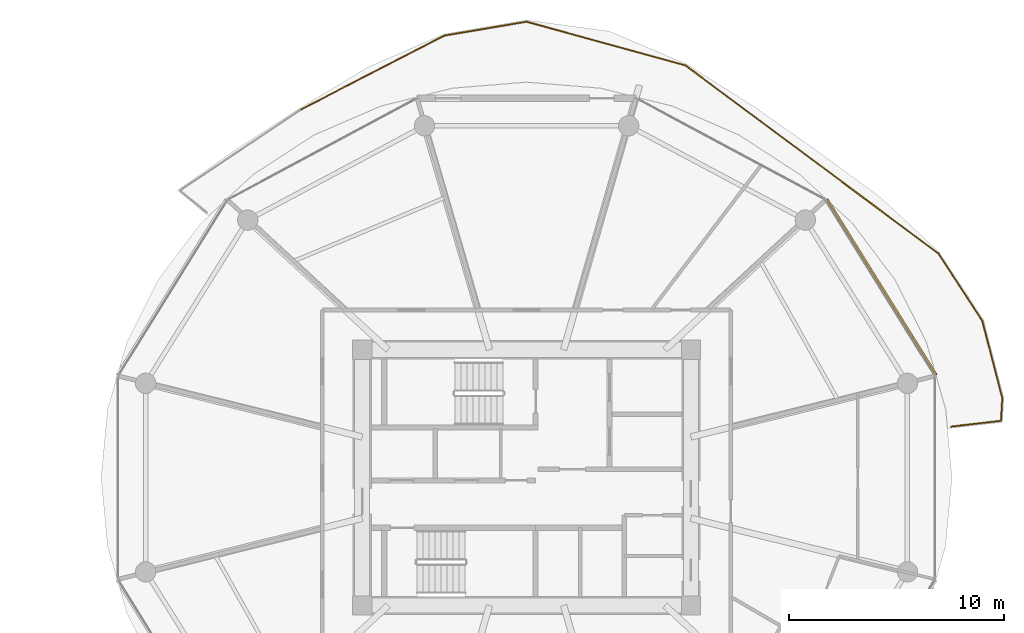
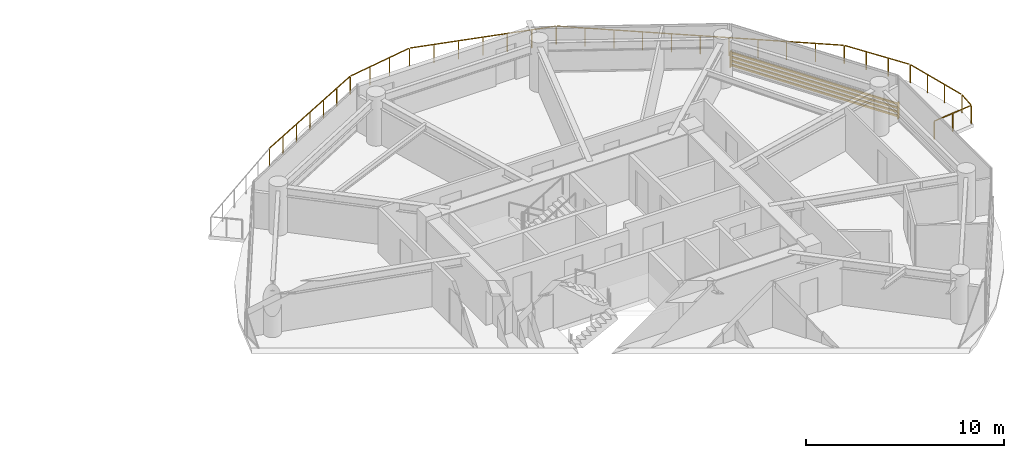
# One storey, part 26 of 26: 1 railing, 1 shading device.
"""IFC4 building model written with IfcOpenShell, lengths in metres."""

from ifc_helpers import new_model, si_unit, direction, frame, origin, origin_2d, place, context, subcontext, project, spatial, rectangle, extrude, source, transform, mapped, material, type_object, type_shapes, element, save


model = new_model("IFC4")

# Units and contexts
model_context = context("Model", 3, precision=1e-05, world=origin(), true_north=direction((0.0, 1.0)))
body_context = subcontext(model_context, "Body", "Model", "MODEL_VIEW")
ifc_project = project(units=[si_unit("LENGTHUNIT", "METRE"), si_unit("AREAUNIT", "SQUARE_METRE"), si_unit("VOLUMEUNIT", "CUBIC_METRE"), si_unit("PLANEANGLEUNIT", "RADIAN"), si_unit("MASSUNIT", "GRAM", prefix="KILO")], contexts=[model_context])

# Site, building, storey
site_placement = place(None, origin())
site = spatial("IfcSite", under=ifc_project, at=site_placement, CompositionType="ELEMENT")
building_placement = place(site_placement, origin())
building = spatial("IfcBuilding", under=site, at=building_placement, Name="Norrkilde Senior Care Towers", CompositionType="ELEMENT")
storey_placement = place(building_placement, frame((0.0, 0.0, 55.14990234375)))
storey = spatial("IfcBuildingStorey", under=building, at=storey_placement, Name="L16", CompositionType="ELEMENT", Elevation=55.14990234375)

# Railing
ifc_material_1 = material(Name="Anodised Aluminium", Category="aluminium")
railing_type = type_object("IfcRailingType", Name="Balcony Swirl Ribbon Guardrail 1150", PredefinedType="GUARDRAIL", material=ifc_material_1)
railing_placement = place(storey_placement, frame((17.472412109375, 17.11572265625, 0.0)))
element("IfcRailing", 1, at=railing_placement, inside=storey, type_object=railing_type, Name="L16 Perimeter Safety Guard 01", PredefinedType="GUARDRAIL", context=body_context, shape_type="SweptSolid", body=[
    extrude(rectangle(XDim=0.048095703125, YDim=0.048095703125, at=origin_2d()), frame((0.0, 0.0, 1.1259765625), z_axis=(0.888905003428, 0.458091579141, 0.0), x_axis=(-0.458091579141, 0.888905003428, 0.0)), (0.0, 0.0, 1.0), 7.4951171875),
    extrude(rectangle(XDim=0.048095703125, YDim=0.048095703125, at=origin_2d()), frame((6.739013671875, 3.458984375, 1.1259765625), z_axis=(0.986031428812, 0.166559362975, 0.0), x_axis=(-0.166559362975, 0.986031428812, 0.0)), (0.0, 0.0, 1.0), 3.802490234375),
    extrude(rectangle(XDim=0.048095703125, YDim=0.048095703125, at=origin_2d()), frame((10.568115234375, 4.08837890625, 1.1259765625), z_axis=(0.964215358874, -0.2651202401, 0.0), x_axis=(0.2651202401, 0.964215358874, 0.0)), (0.0, 0.0, 1.0), 7.590087890625),
    extrude(rectangle(XDim=0.048095703125, YDim=0.048095703125, at=origin_2d()), frame((17.958740234375, 2.040771484375, 1.1259765625), z_axis=(0.802446182433, -0.596724496144, 0.0), x_axis=(0.596724496144, 0.802446182433, 0.0)), (0.0, 0.0, 1.0), 14.573486328125),
    extrude(rectangle(XDim=0.048095703125, YDim=0.048095703125, at=origin_2d()), frame((29.70849609375, -6.714111328125, 1.1259765625), z_axis=(0.547247603285, -0.836970764542, 0.0), x_axis=(0.836970764542, 0.547247603285, 0.0)), (0.0, 0.0, 1.0), 3.65625),
    extrude(rectangle(XDim=0.048095703125, YDim=0.048095703125, at=origin_2d()), frame((31.741943359375, -9.84814453125, 1.1259765625), z_axis=(0.250766434135, -0.968047620477, 0.0), x_axis=(0.968047620477, 0.250766434135, 0.0)), (0.0, 0.0, 1.0), 3.64111328125),
    extrude(rectangle(XDim=0.048095703125, YDim=0.048095703125, at=origin_2d()), frame((32.662841796875, -13.453369140625, 1.1259765625), z_axis=(-0.057089124585, -0.998369085987, 0.0), x_axis=(0.998369085987, -0.057089124585, 0.0)), (0.0, 0.0, 1.0), 0.978759765625),
    extrude(rectangle(XDim=0.048095703125, YDim=0.048095703125, at=origin_2d()), frame((32.564208984375, -14.47607421875, 1.1259765625), z_axis=(-0.993317974933, -0.115409707885, 0.0), x_axis=(0.115409707885, -0.993317974933, 0.0)), (0.0, 0.0, 1.0), 2.29443359375),
    extrude(rectangle(XDim=0.0419921875, YDim=0.0419921875, at=origin_2d()), origin(), (0.0, 0.0, 1.0), 1.099853515625),
    extrude(rectangle(XDim=0.0419921875, YDim=0.0419921875, at=origin_2d()), frame((1.116455078125, 0.575439453125, 0.0)), (0.0, 0.0, 1.0), 1.099853515625),
    extrude(rectangle(XDim=0.0419921875, YDim=0.0419921875, at=origin_2d()), frame((2.23291015625, 1.150634765625, 0.0)), (0.0, 0.0, 1.0), 1.099853515625),
    extrude(rectangle(XDim=0.0419921875, YDim=0.0419921875, at=origin_2d()), frame((3.349365234375, 1.72607421875, 0.0)), (0.0, 0.0, 1.0), 1.099853515625),
    extrude(rectangle(XDim=0.0419921875, YDim=0.0419921875, at=origin_2d()), frame((4.4658203125, 2.301513671875, 0.0)), (0.0, 0.0, 1.0), 1.099853515625),
    extrude(rectangle(XDim=0.0419921875, YDim=0.0419921875, at=origin_2d()), frame((5.582275390625, 2.876708984375, 0.0)), (0.0, 0.0, 1.0), 1.099853515625),
    extrude(rectangle(XDim=0.0419921875, YDim=0.0419921875, at=origin_2d()), frame((6.69873046875, 3.4521484375, 0.0)), (0.0, 0.0, 1.0), 1.099853515625),
    extrude(rectangle(XDim=0.0419921875, YDim=0.0419921875, at=origin_2d()), frame((7.975341796875, 3.667724609375, 0.0)), (0.0, 0.0, 1.0), 1.099853515625),
    extrude(rectangle(XDim=0.0419921875, YDim=0.0419921875, at=origin_2d()), frame((9.252197265625, 3.883544921875, 0.0)), (0.0, 0.0, 1.0), 1.099853515625),
    extrude(rectangle(XDim=0.0419921875, YDim=0.0419921875, at=origin_2d()), frame((10.52880859375, 4.09912109375, 0.0)), (0.0, 0.0, 1.0), 1.099853515625),
    extrude(rectangle(XDim=0.0419921875, YDim=0.0419921875, at=origin_2d()), frame((11.76171875, 3.76025390625, 0.0)), (0.0, 0.0, 1.0), 1.099853515625),
    extrude(rectangle(XDim=0.0419921875, YDim=0.0419921875, at=origin_2d()), frame((12.99462890625, 3.421142578125, 0.0)), (0.0, 0.0, 1.0), 1.099853515625),
    extrude(rectangle(XDim=0.0419921875, YDim=0.0419921875, at=origin_2d()), frame((14.2275390625, 3.08203125, 0.0)), (0.0, 0.0, 1.0), 1.099853515625),
    extrude(rectangle(XDim=0.0419921875, YDim=0.0419921875, at=origin_2d()), frame((15.460205078125, 2.7431640625, 0.0)), (0.0, 0.0, 1.0), 1.099853515625),
    extrude(rectangle(XDim=0.0419921875, YDim=0.0419921875, at=origin_2d()), frame((16.693115234375, 2.404296875, 0.0)), (0.0, 0.0, 1.0), 1.099853515625),
    extrude(rectangle(XDim=0.0419921875, YDim=0.0419921875, at=origin_2d()), frame((17.926025390625, 2.065185546875, 0.0)), (0.0, 0.0, 1.0), 1.099853515625),
    extrude(rectangle(XDim=0.0419921875, YDim=0.0419921875, at=origin_2d()), frame((19.10205078125, 1.190673828125, 0.0)), (0.0, 0.0, 1.0), 1.099853515625),
    extrude(rectangle(XDim=0.0419921875, YDim=0.0419921875, at=origin_2d()), frame((20.278076171875, 0.316162109375, 0.0)), (0.0, 0.0, 1.0), 1.099853515625),
    extrude(rectangle(XDim=0.0419921875, YDim=0.0419921875, at=origin_2d()), frame((21.4541015625, -0.558349609375, 0.0)), (0.0, 0.0, 1.0), 1.099853515625),
    extrude(rectangle(XDim=0.0419921875, YDim=0.0419921875, at=origin_2d()), frame((22.630126953125, -1.432861328125, 0.0)), (0.0, 0.0, 1.0), 1.099853515625),
    extrude(rectangle(XDim=0.0419921875, YDim=0.0419921875, at=origin_2d()), frame((23.80615234375, -2.307373046875, 0.0)), (0.0, 0.0, 1.0), 1.099853515625),
    extrude(rectangle(XDim=0.0419921875, YDim=0.0419921875, at=origin_2d()), frame((24.98193359375, -3.181884765625, 0.0)), (0.0, 0.0, 1.0), 1.099853515625),
    extrude(rectangle(XDim=0.0419921875, YDim=0.0419921875, at=origin_2d()), frame((26.157958984375, -4.056396484375, 0.0)), (0.0, 0.0, 1.0), 1.099853515625),
    extrude(rectangle(XDim=0.0419921875, YDim=0.0419921875, at=origin_2d()), frame((27.333984375, -4.930908203125, 0.0)), (0.0, 0.0, 1.0), 1.099853515625),
    extrude(rectangle(XDim=0.0419921875, YDim=0.0419921875, at=origin_2d()), frame((28.510009765625, -5.805419921875, 0.0)), (0.0, 0.0, 1.0), 1.099853515625),
    extrude(rectangle(XDim=0.0419921875, YDim=0.0419921875, at=origin_2d()), frame((29.68603515625, -6.679931640625, 0.0)), (0.0, 0.0, 1.0), 1.099853515625),
    extrude(rectangle(XDim=0.0419921875, YDim=0.0419921875, at=origin_2d()), frame((30.367919921875, -7.722900390625, 0.0)), (0.0, 0.0, 1.0), 1.099853515625),
    extrude(rectangle(XDim=0.0419921875, YDim=0.0419921875, at=origin_2d()), frame((31.0498046875, -8.765625, 0.0)), (0.0, 0.0, 1.0), 1.099853515625),
    extrude(rectangle(XDim=0.0419921875, YDim=0.0419921875, at=origin_2d()), frame((31.731689453125, -9.80859375, 0.0)), (0.0, 0.0, 1.0), 1.099853515625),
    extrude(rectangle(XDim=0.0419921875, YDim=0.0419921875, at=origin_2d()), frame((32.04296875, -11.010009765625, 0.0)), (0.0, 0.0, 1.0), 1.099853515625),
    extrude(rectangle(XDim=0.0419921875, YDim=0.0419921875, at=origin_2d()), frame((32.35400390625, -12.211181640625, 0.0)), (0.0, 0.0, 1.0), 1.099853515625),
    extrude(rectangle(XDim=0.0419921875, YDim=0.0419921875, at=origin_2d()), frame((32.665283203125, -13.41259765625, 0.0)), (0.0, 0.0, 1.0), 1.099853515625),
    extrude(rectangle(XDim=0.0419921875, YDim=0.0419921875, at=origin_2d()), frame((32.604736328125, -14.471435546875, 0.0)), (0.0, 0.0, 1.0), 1.099853515625),
    extrude(rectangle(XDim=0.0419921875, YDim=0.0419921875, at=origin_2d()), frame((31.44482421875, -14.606201171875, 0.0)), (0.0, 0.0, 1.0), 1.099853515625),
    extrude(rectangle(XDim=0.0419921875, YDim=0.0419921875, at=origin_2d()), frame((30.284912109375, -14.740966796875, 0.0)), (0.0, 0.0, 1.0), 1.099853515625),
])

# Shading device
ifc_material_2 = material(Name="Architectural Terracotta", Category="masonry")
shading_device_type = type_object("IfcShadingDeviceType", Name="Horizontal Terracotta Baguette Rack", PredefinedType="USERDEFINED", material=ifc_material_2)
shared_shape = source(origin(), body_context, "Body", "SweptSolid", [
    extrude(rectangle(XDim=0.070068359375, YDim=0.110107421875, at=origin_2d()), frame((0.0, 0.090087890625, 0.125), z_axis=(1.0, 0.0, 0.0), x_axis=(0.0, 1.0, 0.0)), (0.0, 0.0, 1.0), 9.64892578125),
    extrude(rectangle(XDim=0.070068359375, YDim=0.110107421875, at=origin_2d()), frame((0.0, 0.090087890625, 0.375), z_axis=(1.0, 0.0, 0.0), x_axis=(0.0, 1.0, 0.0)), (0.0, 0.0, 1.0), 9.64892578125),
    extrude(rectangle(XDim=0.070068359375, YDim=0.110107421875, at=origin_2d()), frame((0.0, 0.090087890625, 0.625), z_axis=(1.0, 0.0, 0.0), x_axis=(0.0, 1.0, 0.0)), (0.0, 0.0, 1.0), 9.64892578125),
    extrude(rectangle(XDim=0.070068359375, YDim=0.110107421875, at=origin_2d()), frame((0.0, 0.090087890625, 0.875), z_axis=(1.0, 0.0, 0.0), x_axis=(0.0, 1.0, 0.0)), (0.0, 0.0, 1.0), 9.64892578125),
    extrude(rectangle(XDim=0.050048828125, YDim=0.1552734375, at=origin_2d()), frame((0.02490234375, 0.047607421875, 0.0)), (0.0, 0.0, 1.0), 1.0),
    extrude(rectangle(XDim=0.050048828125, YDim=0.1552734375, at=origin_2d()), frame((9.6240234375, 0.047607421875, 0.0)), (0.0, 0.0, 1.0), 1.0),
])
type_shapes(shading_device_type, [shared_shape])
shading_device_placement = place(storey_placement, frame((41.915771484375, 12.926025390625, 0.080078125), z_axis=(0.0, 0.0, 1.0), x_axis=(0.527908506655, -0.849299124538, 0.0)))
element("IfcShadingDevice", 2, at=shading_device_placement, inside=storey, type_object=shading_device_type, Name="L16 Drum E Terracotta Baguette Screen 00", ObjectType="BAGUETTE", PredefinedType="USERDEFINED", context=body_context, shape_type="MappedRepresentation", body=[
    mapped(shared_shape, transform((0.0, 0.0, 0.0), x_axis=(1.0, 0.0, 0.0), y_axis=(0.0, 1.0, 0.0), z_axis=(0.0, 0.0, 1.0), scale=1.0)),
])

save(model, "model.ifc")
